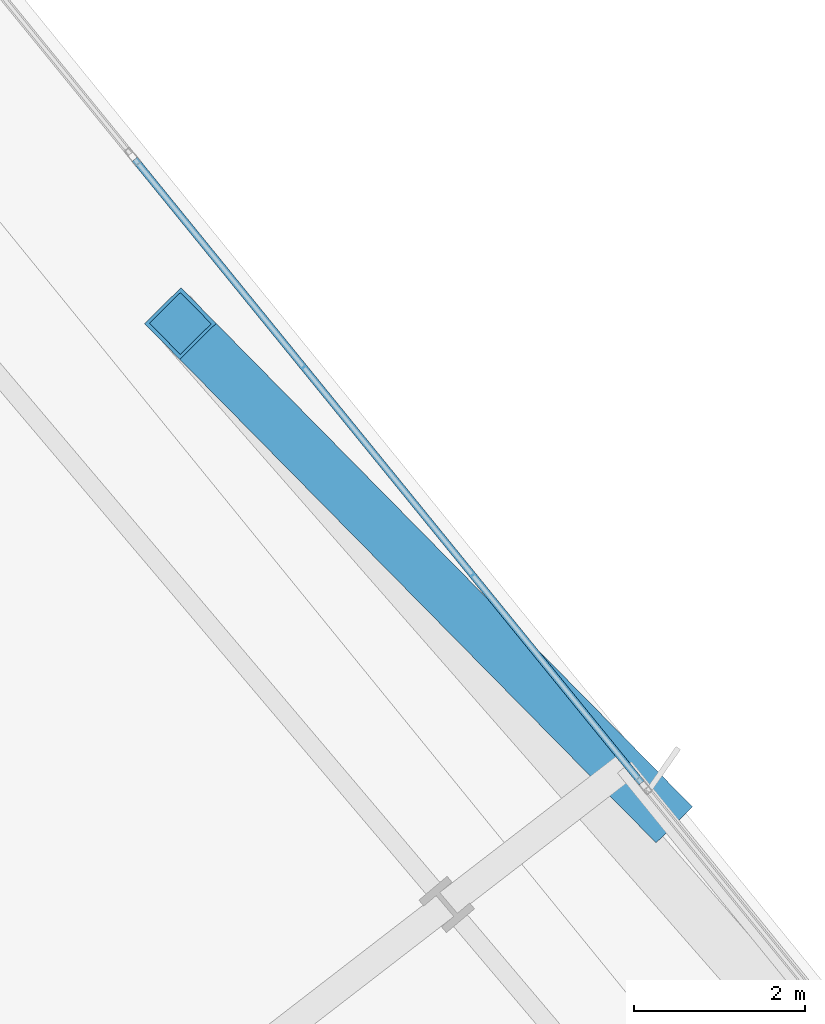
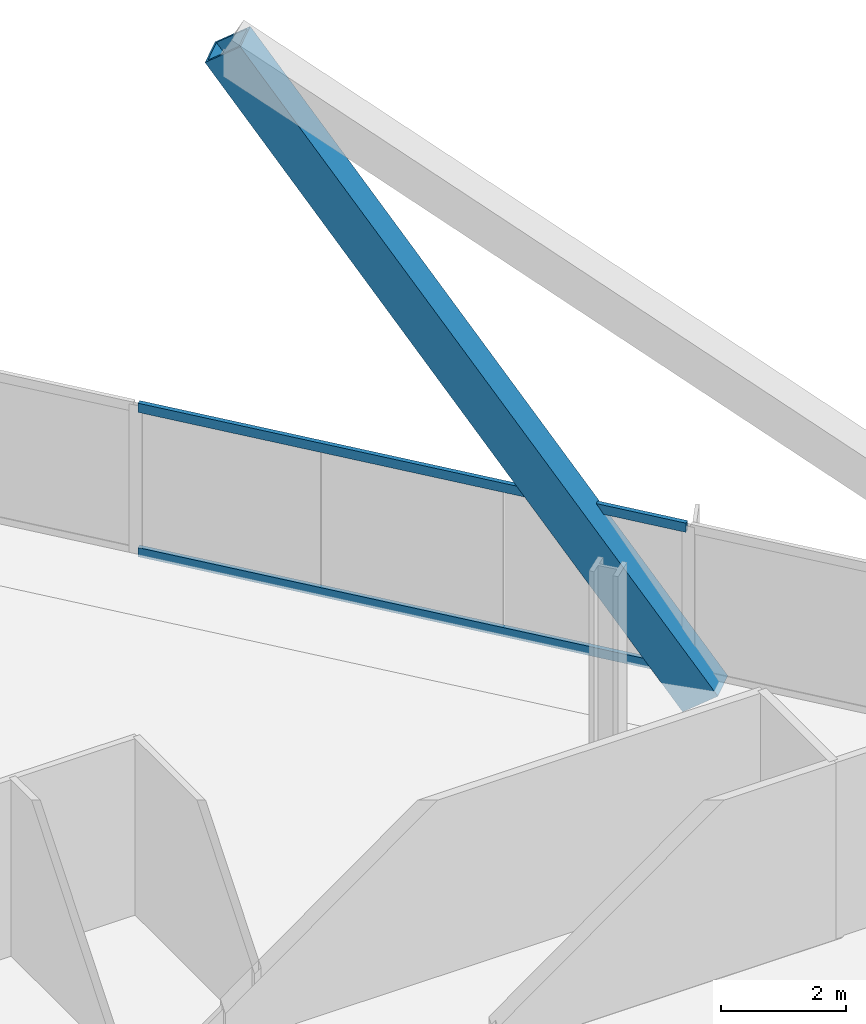
# One storey, part 25 of 36: 3 members, 1 element without a shape of its own.
"""IFC4 building model written with IfcOpenShell, lengths in metres."""

from ifc_helpers import new_model, si_unit, direction, frame, origin, origin_2d, place, context, subcontext, project, spatial, hollow_rectangle, extrude, material, material_profile, profile_set, type_object, element, aggregate, save


model = new_model("IFC4")

# Units and contexts
model_context = context("Model", 3, precision=1e-05, world=origin(), true_north=direction((0.0, 1.0)))
body_context = subcontext(model_context, "Body", "Model", "MODEL_VIEW")
ifc_project = project(units=[si_unit("LENGTHUNIT", "METRE"), si_unit("AREAUNIT", "SQUARE_METRE"), si_unit("VOLUMEUNIT", "CUBIC_METRE"), si_unit("PLANEANGLEUNIT", "RADIAN"), si_unit("MASSUNIT", "GRAM", prefix="KILO")], contexts=[model_context])

# Site, building, storey
site_placement = place(None, origin())
site = spatial("IfcSite", under=ifc_project, at=site_placement, CompositionType="ELEMENT")
building_placement = place(site_placement, origin())
building = spatial("IfcBuilding", under=site, at=building_placement, Name="Haldenkirk Collegiate Tower", CompositionType="ELEMENT")
storey_placement = place(building_placement, frame((0.0, 0.0, 159.449951171875)))
storey = spatial("IfcBuildingStorey", under=building, at=storey_placement, Name="L39", CompositionType="ELEMENT", Elevation=159.449951171875)

# Curtain wall, members
ifc_material_1 = material(Name="Anodised architectural bronze aluminium", Category="aluminium")
curtain_wall_type = type_object("IfcCurtainWallType", Name="CW-SYS1-CONVEX-LOW", PredefinedType="USERDEFINED", material=ifc_material_1)
curtain_wall_placement = place(storey_placement, origin())
curtain_wall = element("IfcCurtainWall", 1, at=curtain_wall_placement, inside=storey, type_object=curtain_wall_type, Name="L39 Lower tower convex bronze-framed unitised curtain wall", ObjectType="UNITISED CURTAIN WALL", PredefinedType="USERDEFINED")
ifc_material_profile_1 = material_profile(ifc_material_1, hollow_rectangle(XDim=0.080078125, YDim=0.179931640625, WallThickness=0.0048828125, at=origin_2d()), Name="CW-TRN-1A")
ifc_profile_set_1 = profile_set([ifc_material_profile_1], Name="Anodised architectural bronze aluminium")
member_type_1 = type_object("IfcMemberType", Name="CW-TRN-1A", PredefinedType="USERDEFINED", material=ifc_profile_set_1)
member_1_placement = place(storey_placement, frame((49.513671875, 49.043212890625, 0.0400390625), z_axis=(0.630675557377, -0.77604661028, 0.0), x_axis=(0.77604661028, 0.630675557377, 0.0)))
member_1 = element("IfcMember", 2, at=member_1_placement, type_object=member_type_1, Name="CW-1A transom 2.1", ObjectType="TRANSOM", PredefinedType="USERDEFINED", context=body_context, shape_type="SweptSolid", body=[
    extrude(hollow_rectangle(XDim=0.080078125, YDim=0.179931640625, WallThickness=0.0048828125, at=origin_2d()), origin(), (0.0, 0.0, 1.0), 9.419921875),
])
member_2_placement = place(storey_placement, frame((49.513671875, 49.043212890625, 2.87109375), z_axis=(0.630675557377, -0.77604661028, 0.0), x_axis=(0.77604661028, 0.630675557377, 0.0)))
member_2 = element("IfcMember", 3, at=member_2_placement, type_object=member_type_1, Name="CW-1A transom 2.2", ObjectType="TRANSOM", PredefinedType="USERDEFINED", context=body_context, shape_type="SweptSolid", body=[
    extrude(hollow_rectangle(XDim=0.080078125, YDim=0.179931640625, WallThickness=0.0048828125, at=origin_2d()), origin(), (0.0, 0.0, 1.0), 9.419921875),
])
aggregate(curtain_wall, [member_1, member_2])

# Member
ifc_material_2 = material(Name="Steel ASTM A572 Grade 50", Category="steel")
ifc_material_profile_2 = material_profile(ifc_material_2, hollow_rectangle(XDim=0.60009765625, YDim=0.719970703125, WallThickness=0.044921875, at=origin_2d()), Name="BOX720X600X45")
ifc_profile_set_2 = profile_set([ifc_material_profile_2], Name="Steel ASTM A572 Grade 50")
member_type_2 = type_object("IfcMemberType", Name="MBR-MEGABRACE-BOX720X600X45", PredefinedType="BRACE", material=ifc_profile_set_2)
member_3_placement = place(storey_placement, frame((55.633056640625, 41.44970703125, -0.300048828125), z_axis=(-0.40529463214, 0.411371571239, 0.816400448025), x_axis=(-0.712348750359, -0.701825660589, 0.0)))
element("IfcMember", 4, at=member_3_placement, inside=storey, type_object=member_type_2, Name="Perimeter Mega Brace Z3 L39-L41 ER", PredefinedType="BRACE", context=body_context, shape_type="SweptSolid", body=[
    extrude(hollow_rectangle(XDim=0.60009765625, YDim=0.719970703125, WallThickness=0.044921875, at=origin_2d()), origin(), (0.0, 0.0, 1.0), 13.780029296875),
])

save(model, "model.ifc")
